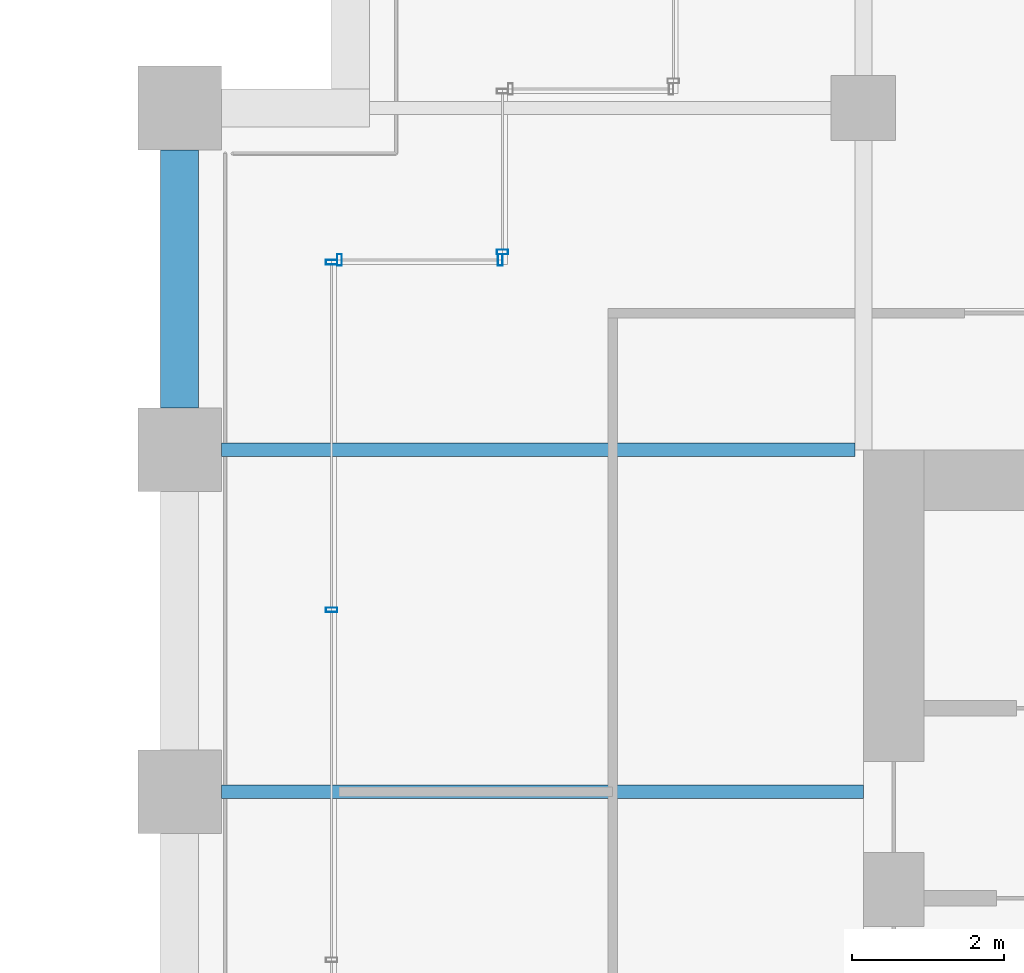
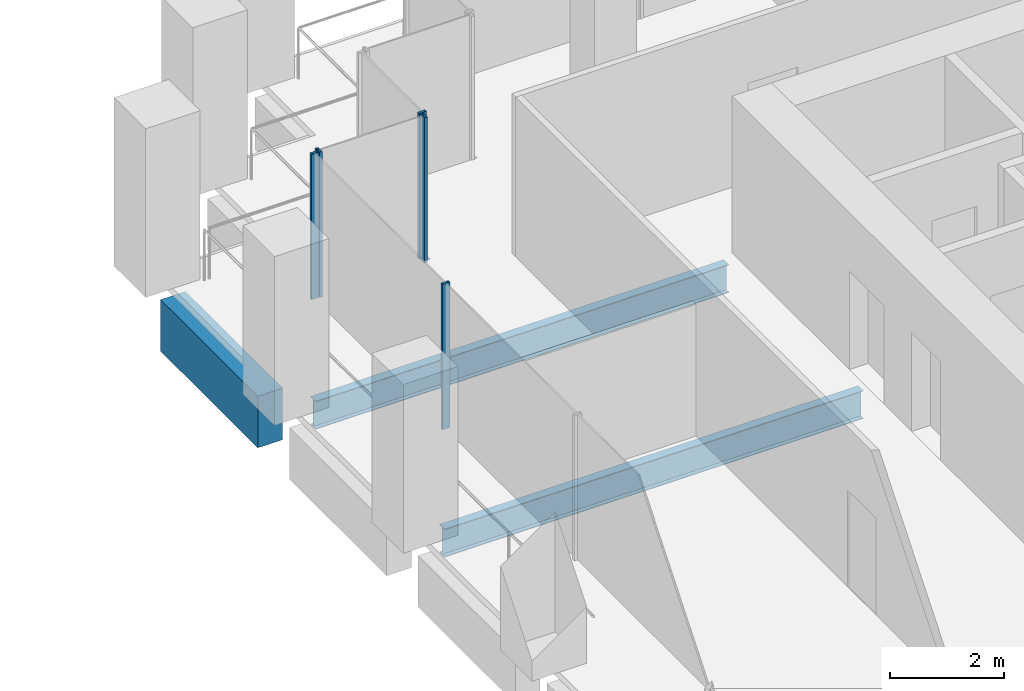
# One storey, part 40 of 54: 5 members, 3 beams, 3 elements without a shape of their own.
"""IFC4 building model written with IfcOpenShell, lengths in metres."""

from ifc_helpers import new_model, si_unit, direction, frame, origin, origin_2d, place, context, subcontext, project, spatial, rectangle, hollow_rectangle, i_section, extrude, material, material_profile, profile_set, type_object, element, aggregate, save


model = new_model("IFC4")

# Units and contexts
model_context = context("Model", 3, precision=1e-05, world=origin(), true_north=direction((0.0, 1.0)))
body_context = subcontext(model_context, "Body", "Model", "MODEL_VIEW")
ifc_project = project(units=[si_unit("LENGTHUNIT", "METRE"), si_unit("AREAUNIT", "SQUARE_METRE"), si_unit("VOLUMEUNIT", "CUBIC_METRE"), si_unit("PLANEANGLEUNIT", "RADIAN"), si_unit("MASSUNIT", "GRAM", prefix="KILO")], contexts=[model_context])

# Site, building, storey
site_placement = place(None, origin())
site = spatial("IfcSite", under=ifc_project, at=site_placement, CompositionType="ELEMENT")
building_placement = place(site_placement, origin())
building = spatial("IfcBuilding", under=site, at=building_placement, Name="Altepetl Exchange Towers", CompositionType="ELEMENT")
storey_placement = place(building_placement, frame((0.0, 0.0, 61.800048828125)))
storey = spatial("IfcBuildingStorey", under=building, at=storey_placement, Name="L14", CompositionType="ELEMENT", Elevation=61.800048828125)

# Beams
ifc_material_1 = material(Name="Steel S355", Category="steel")
ifc_material_profile_1 = material_profile(ifc_material_1, i_section(OverallWidth=0.177978515625, OverallDepth=0.59912109375, WebThickness=0.010009765625, FlangeThickness=0.0126953125, at=origin_2d()), Name="W24X55")
ifc_profile_set_1 = profile_set([ifc_material_profile_1], Name="Steel S355")
beam_type_1 = type_object("IfcBeamType", Name="Floor beam W24X55", PredefinedType="BEAM", material=ifc_profile_set_1)
beam_1_placement = place(storey_placement, frame((95.050048828125, 45.0, -0.449462890625), z_axis=(1.0, 0.0, 0.0), x_axis=(0.0, 1.0, 0.0)))
element("IfcBeam", 1, at=beam_1_placement, inside=storey, type_object=beam_type_1, Name="bm:B:L14:013", PredefinedType="BEAM", context=body_context, shape_type="SweptSolid", body=[
    extrude(i_section(OverallWidth=0.177978515625, OverallDepth=0.59912109375, WebThickness=0.010009765625, FlangeThickness=0.0126953125, at=origin_2d()), origin(), (0.0, 0.0, 1.0), 8.449951171875),
])
beam_2_placement = place(storey_placement, frame((95.050048828125, 49.5, -0.449462890625), z_axis=(1.0, 0.0, 0.0), x_axis=(0.0, 1.0, 0.0)))
element("IfcBeam", 2, at=beam_2_placement, inside=storey, type_object=beam_type_1, Name="bm:B:L14:014", PredefinedType="BEAM", context=body_context, shape_type="SweptSolid", body=[
    extrude(i_section(OverallWidth=0.177978515625, OverallDepth=0.59912109375, WebThickness=0.010009765625, FlangeThickness=0.0126953125, at=origin_2d()), origin(), (0.0, 0.0, 1.0), 8.3359375),
])

# Curtain wall, members
ifc_material_2 = material(Name="Aluminium 6063-T6 glazing", Category="aluminium")
curtain_wall_type = type_object("IfcCurtainWallType", Name="Loggia glazing system", PredefinedType="NOTDEFINED", material=ifc_material_2)
curtain_wall_1_placement = place(storey_placement, origin())
curtain_wall_1 = element("IfcCurtainWall", 3, at=curtain_wall_1_placement, inside=storey, type_object=curtain_wall_type, Name="CW1 run", PredefinedType="NOTDEFINED")
ifc_material_3 = material(Name="Aluminium 6063-T6", Category="aluminium")
ifc_material_profile_2 = material_profile(ifc_material_3, hollow_rectangle(XDim=0.06005859375, YDim=0.14990234375, WallThickness=0.0029296875, at=origin_2d()), Name="Mullion 60x150 aluminium")
ifc_profile_set_2 = profile_set([ifc_material_profile_2], Name="Aluminium 6063-T6")
member_type = type_object("IfcMemberType", Name="Mullion 60x150 aluminium", PredefinedType="MULLION", material=ifc_profile_set_2)
member_1_placement = place(storey_placement, frame((98.719970703125, 52.0, 0.0), z_axis=(0.0, 0.0, 1.0), x_axis=(-1.0, 0.0, 0.0)))
member_1 = element("IfcMember", 4, at=member_1_placement, type_object=member_type, Name="MU1 mullion", PredefinedType="MULLION", context=body_context, shape_type="SweptSolid", body=[
    extrude(hollow_rectangle(XDim=0.06005859375, YDim=0.14990234375, WallThickness=0.0029296875, at=origin_2d()), origin(), (0.0, 0.0, 1.0), 3.099853515625),
])
member_2_placement = place(storey_placement, frame((96.60498046875, 52.0, 0.0), z_axis=(0.0, 0.0, 1.0), x_axis=(-1.0, 0.0, 0.0)))
member_2 = element("IfcMember", 5, at=member_2_placement, type_object=member_type, Name="MU1 mullion", PredefinedType="MULLION", context=body_context, shape_type="SweptSolid", body=[
    extrude(hollow_rectangle(XDim=0.06005859375, YDim=0.14990234375, WallThickness=0.0029296875, at=origin_2d()), origin(), (0.0, 0.0, 1.0), 3.099853515625),
])
aggregate(curtain_wall_1, [member_1, member_2])

curtain_wall_2_placement = place(storey_placement, origin())
curtain_wall_2 = element("IfcCurtainWall", 6, at=curtain_wall_2_placement, inside=storey, type_object=curtain_wall_type, Name="CW1 run", PredefinedType="NOTDEFINED")
member_3_placement = place(storey_placement, frame((96.5, 51.969970703125, 0.0), z_axis=(0.0, 0.0, 1.0), x_axis=(0.0, -1.0, 0.0)))
member_3 = element("IfcMember", 7, at=member_3_placement, type_object=member_type, Name="MU1 mullion", PredefinedType="MULLION", context=body_context, shape_type="SweptSolid", body=[
    extrude(hollow_rectangle(XDim=0.06005859375, YDim=0.14990234375, WallThickness=0.0029296875, at=origin_2d()), origin(), (0.0, 0.0, 1.0), 3.099853515625),
])
member_4_placement = place(storey_placement, frame((96.5, 47.393798828125, 0.0), z_axis=(0.0, 0.0, 1.0), x_axis=(0.0, -1.0, 0.0)))
member_4 = element("IfcMember", 8, at=member_4_placement, type_object=member_type, Name="MU1 mullion", PredefinedType="MULLION", context=body_context, shape_type="SweptSolid", body=[
    extrude(hollow_rectangle(XDim=0.06005859375, YDim=0.14990234375, WallThickness=0.0029296875, at=origin_2d()), origin(), (0.0, 0.0, 1.0), 3.099853515625),
])
aggregate(curtain_wall_2, [member_3, member_4])

# Curtain wall, member
curtain_wall_3_placement = place(storey_placement, origin())
curtain_wall_3 = element("IfcCurtainWall", 9, at=curtain_wall_3_placement, inside=storey, type_object=curtain_wall_type, Name="CW1 run", PredefinedType="NOTDEFINED")
member_5_placement = place(storey_placement, frame((98.75, 52.10498046875, 0.0), z_axis=(0.0, 0.0, 1.0), x_axis=(0.0, -1.0, 0.0)))
member_5 = element("IfcMember", 10, at=member_5_placement, type_object=member_type, Name="MU1 mullion", PredefinedType="MULLION", context=body_context, shape_type="SweptSolid", body=[
    extrude(hollow_rectangle(XDim=0.06005859375, YDim=0.14990234375, WallThickness=0.0029296875, at=origin_2d()), origin(), (0.0, 0.0, 1.0), 3.099853515625),
])
aggregate(curtain_wall_3, [member_5])

# Beam
ifc_material_4 = material(Name="Concrete C50/60 precast with cantera rosa facing", Category="concrete")
ifc_material_profile_3 = material_profile(ifc_material_4, rectangle(XDim=0.5, YDim=1.10009765625, at=origin_2d()), Name="500 x 1100")
ifc_profile_set_3 = profile_set([ifc_material_profile_3], Name="Concrete C50/60 precast with cantera rosa facing")
beam_type_2 = type_object("IfcBeamType", Name="Spandrel beam 500x1100 cantera rosa", PredefinedType="SPANDREL", material=ifc_profile_set_3)
beam_3_placement = place(storey_placement, frame((94.5, 53.449951171875, -0.699951171875), z_axis=(0.0, -1.0, 0.0), x_axis=(1.0, 0.0, 0.0)))
element("IfcBeam", 11, at=beam_3_placement, inside=storey, type_object=beam_type_2, Name="sp:B:L14:027", PredefinedType="SPANDREL", context=body_context, shape_type="SweptSolid", body=[
    extrude(rectangle(XDim=0.5, YDim=1.10009765625, at=origin_2d()), origin(), (0.0, 0.0, 1.0), 3.39990234375),
])

save(model, "model.ifc")
